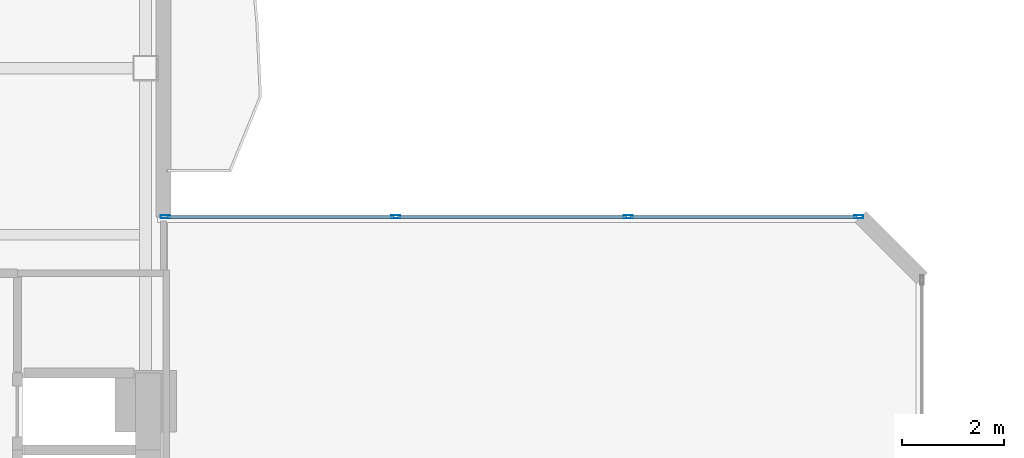
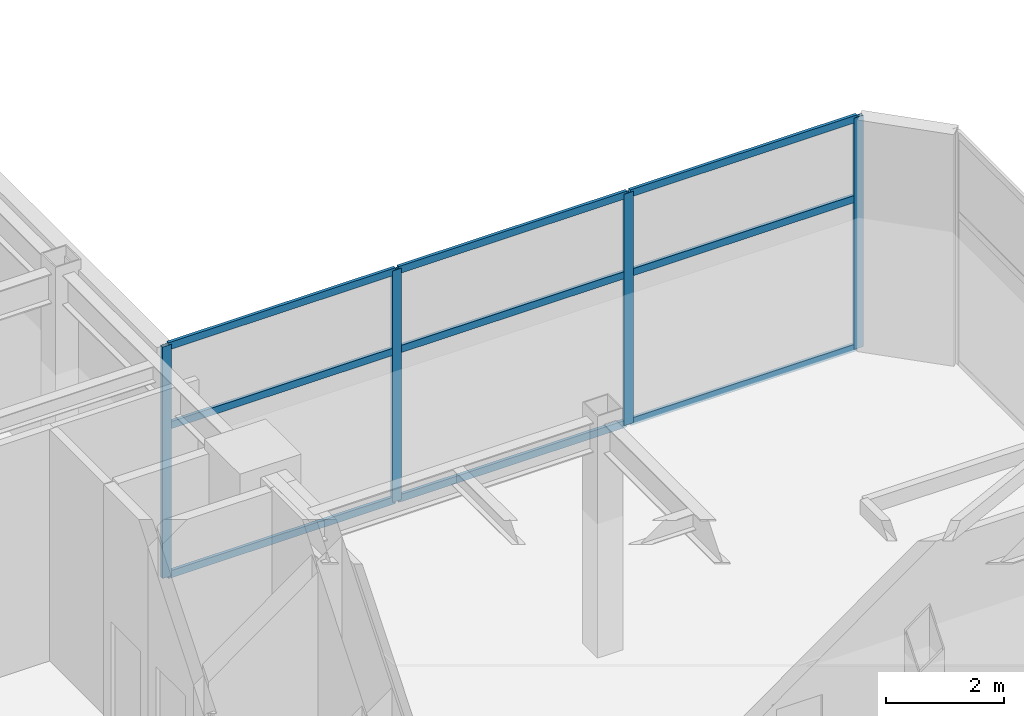
# One storey, part 7 of 23: 13 members, 1 element without a shape of its own.
"""IFC4 building model written with IfcOpenShell, lengths in metres."""

from ifc_helpers import new_model, si_unit, direction, frame, origin, origin_2d, place, context, subcontext, project, spatial, hollow_rectangle, extrude, material, layer, layer_set, material_profile, profile_set, type_object, element, aggregate, save


model = new_model("IFC4")

# Units and contexts
model_context = context("Model", 3, precision=1e-05, world=origin(), true_north=direction((0.0, 1.0)))
body_context = subcontext(model_context, "Body", "Model", "MODEL_VIEW")
ifc_project = project(units=[si_unit("LENGTHUNIT", "METRE"), si_unit("AREAUNIT", "SQUARE_METRE"), si_unit("VOLUMEUNIT", "CUBIC_METRE"), si_unit("PLANEANGLEUNIT", "RADIAN"), si_unit("MASSUNIT", "GRAM", prefix="KILO")], contexts=[model_context])

# Site, building, storey
site_placement = place(None, origin())
site = spatial("IfcSite", under=ifc_project, at=site_placement, CompositionType="ELEMENT")
building_placement = place(site_placement, origin())
building = spatial("IfcBuilding", under=site, at=building_placement, Name="Mawjaban Terraces University", CompositionType="ELEMENT")
storey_placement = place(building_placement, frame((0.0, 0.0, 98.39990234375)))
storey = spatial("IfcBuildingStorey", under=building, at=storey_placement, Name="L23", CompositionType="ELEMENT", Elevation=98.39990234375)

# Curtain wall, members
ifc_material_1 = material(Name="Anodised aluminium 6063-T6 and solar-control low-E glass", Category="aluminium")
ifc_layer = layer(ifc_material_1, 0.18994140625)
ifc_layer_set = layer_set([ifc_layer], Name="Anodised aluminium 6063-T6 and solar-control low-E glass")
curtain_wall_type = type_object("IfcCurtainWallType", Name="CWSystem_05_SkyLobby", PredefinedType="NOTDEFINED", material=ifc_layer_set)
curtain_wall_placement = place(storey_placement, origin())
curtain_wall = element("IfcCurtainWall", 1, at=curtain_wall_placement, inside=storey, type_object=curtain_wall_type, Name="L23 Curtain Wall CW-05 Run 8.1", PredefinedType="NOTDEFINED")
ifc_material_2 = material(Name="Anodised aluminium 6063-T6", Category="aluminium")
ifc_material_profile_1 = material_profile(ifc_material_2, hollow_rectangle(XDim=0.06494140625, YDim=0.179931640625, WallThickness=0.00390625, at=origin_2d()), Name="ALU180X65X4")
ifc_profile_set_1 = profile_set([ifc_material_profile_1], Name="Anodised aluminium 6063-T6")
member_type_1 = type_object("IfcMemberType", Name="Mullion_CW-05", PredefinedType="MULLION", material=ifc_profile_set_1)
member_1_placement = place(storey_placement, frame((51.5673828125, 27.10009765625, 0.0), z_axis=(0.0, 0.0, 1.0), x_axis=(0.0, -1.0, 0.0)))
member_1 = element("IfcMember", 2, at=member_1_placement, type_object=member_type_1, Name="CW-05 mullion 1", PredefinedType="MULLION", context=body_context, shape_type="SweptSolid", body=[
    extrude(hollow_rectangle(XDim=0.06494140625, YDim=0.179931640625, WallThickness=0.00390625, at=origin_2d()), origin(), (0.0, 0.0, 1.0), 4.7900390625),
])
member_2_placement = place(storey_placement, frame((47.066650390625, 27.10009765625, 0.0), z_axis=(0.0, 0.0, 1.0), x_axis=(0.0, -1.0, 0.0)))
member_2 = element("IfcMember", 3, at=member_2_placement, type_object=member_type_1, Name="CW-05 mullion 2", PredefinedType="MULLION", context=body_context, shape_type="SweptSolid", body=[
    extrude(hollow_rectangle(XDim=0.06494140625, YDim=0.179931640625, WallThickness=0.00390625, at=origin_2d()), origin(), (0.0, 0.0, 1.0), 4.7900390625),
])
member_3_placement = place(storey_placement, frame((42.533447265625, 27.10009765625, 0.0), z_axis=(0.0, 0.0, 1.0), x_axis=(0.0, -1.0, 0.0)))
member_3 = element("IfcMember", 4, at=member_3_placement, type_object=member_type_1, Name="CW-05 mullion 3", PredefinedType="MULLION", context=body_context, shape_type="SweptSolid", body=[
    extrude(hollow_rectangle(XDim=0.06494140625, YDim=0.179931640625, WallThickness=0.00390625, at=origin_2d()), origin(), (0.0, 0.0, 1.0), 4.7900390625),
])
member_4_placement = place(storey_placement, frame((38.032470703125, 27.10009765625, 0.0), z_axis=(0.0, 0.0, 1.0), x_axis=(0.0, -1.0, 0.0)))
member_4 = element("IfcMember", 5, at=member_4_placement, type_object=member_type_1, Name="CW-05 mullion 4", PredefinedType="MULLION", context=body_context, shape_type="SweptSolid", body=[
    extrude(hollow_rectangle(XDim=0.06494140625, YDim=0.179931640625, WallThickness=0.00390625, at=origin_2d()), origin(), (0.0, 0.0, 1.0), 4.7900390625),
])
ifc_material_profile_2 = material_profile(ifc_material_2, hollow_rectangle(XDim=0.06005859375, YDim=0.14990234375, WallThickness=0.00390625, at=origin_2d()), Name="ALU150X60X4")
ifc_profile_set_2 = profile_set([ifc_material_profile_2], Name="Anodised aluminium 6063-T6")
member_type_2 = type_object("IfcMemberType", Name="Transom_CW-05", PredefinedType="NOTDEFINED", material=ifc_profile_set_2)
member_5_placement = place(storey_placement, frame((51.534912109375, 27.10009765625, 0.030029296875), z_axis=(-1.0, 0.0, 0.0), x_axis=(0.0, -1.0, 0.0)))
member_5 = element("IfcMember", 6, at=member_5_placement, type_object=member_type_2, Name="CW-05 transom 1.1", ObjectType="TRANSOM", PredefinedType="USERDEFINED", context=body_context, shape_type="SweptSolid", body=[
    extrude(hollow_rectangle(XDim=0.06005859375, YDim=0.14990234375, WallThickness=0.00390625, at=origin_2d()), origin(), (0.0, 0.0, 1.0), 4.435791015625),
])
member_6_placement = place(storey_placement, frame((51.534912109375, 27.10009765625, 3.113037109375), z_axis=(-1.0, 0.0, 0.0), x_axis=(0.0, -1.0, 0.0)))
member_6 = element("IfcMember", 7, at=member_6_placement, type_object=member_type_2, Name="CW-05 transom 1.2", ObjectType="TRANSOM", PredefinedType="USERDEFINED", context=body_context, shape_type="SweptSolid", body=[
    extrude(hollow_rectangle(XDim=0.06005859375, YDim=0.14990234375, WallThickness=0.00390625, at=origin_2d()), origin(), (0.0, 0.0, 1.0), 4.435791015625),
])
member_7_placement = place(storey_placement, frame((51.534912109375, 27.10009765625, 4.760009765625), z_axis=(-1.0, 0.0, 0.0), x_axis=(0.0, -1.0, 0.0)))
member_7 = element("IfcMember", 8, at=member_7_placement, type_object=member_type_2, Name="CW-05 transom 1.3", ObjectType="TRANSOM", PredefinedType="USERDEFINED", context=body_context, shape_type="SweptSolid", body=[
    extrude(hollow_rectangle(XDim=0.06005859375, YDim=0.14990234375, WallThickness=0.00390625, at=origin_2d()), origin(), (0.0, 0.0, 1.0), 4.435791015625),
])
member_8_placement = place(storey_placement, frame((47.0341796875, 27.10009765625, 0.030029296875), z_axis=(-1.0, 0.0, 0.0), x_axis=(0.0, -1.0, 0.0)))
member_8 = element("IfcMember", 9, at=member_8_placement, type_object=member_type_2, Name="CW-05 transom 2.1", ObjectType="TRANSOM", PredefinedType="USERDEFINED", context=body_context, shape_type="SweptSolid", body=[
    extrude(hollow_rectangle(XDim=0.06005859375, YDim=0.14990234375, WallThickness=0.00390625, at=origin_2d()), origin(), (0.0, 0.0, 1.0), 4.46826171875),
])
member_9_placement = place(storey_placement, frame((47.0341796875, 27.10009765625, 3.113037109375), z_axis=(-1.0, 0.0, 0.0), x_axis=(0.0, -1.0, 0.0)))
member_9 = element("IfcMember", 10, at=member_9_placement, type_object=member_type_2, Name="CW-05 transom 2.2", ObjectType="TRANSOM", PredefinedType="USERDEFINED", context=body_context, shape_type="SweptSolid", body=[
    extrude(hollow_rectangle(XDim=0.06005859375, YDim=0.14990234375, WallThickness=0.00390625, at=origin_2d()), origin(), (0.0, 0.0, 1.0), 4.46826171875),
])
member_10_placement = place(storey_placement, frame((47.0341796875, 27.10009765625, 4.760009765625), z_axis=(-1.0, 0.0, 0.0), x_axis=(0.0, -1.0, 0.0)))
member_10 = element("IfcMember", 11, at=member_10_placement, type_object=member_type_2, Name="CW-05 transom 2.3", ObjectType="TRANSOM", PredefinedType="USERDEFINED", context=body_context, shape_type="SweptSolid", body=[
    extrude(hollow_rectangle(XDim=0.06005859375, YDim=0.14990234375, WallThickness=0.00390625, at=origin_2d()), origin(), (0.0, 0.0, 1.0), 4.46826171875),
])
member_11_placement = place(storey_placement, frame((42.500732421875, 27.10009765625, 0.030029296875), z_axis=(-1.0, 0.0, 0.0), x_axis=(0.0, -1.0, 0.0)))
member_11 = element("IfcMember", 12, at=member_11_placement, type_object=member_type_2, Name="CW-05 transom 3.1", ObjectType="TRANSOM", PredefinedType="USERDEFINED", context=body_context, shape_type="SweptSolid", body=[
    extrude(hollow_rectangle(XDim=0.06005859375, YDim=0.14990234375, WallThickness=0.00390625, at=origin_2d()), origin(), (0.0, 0.0, 1.0), 4.435791015625),
])
member_12_placement = place(storey_placement, frame((42.500732421875, 27.10009765625, 3.113037109375), z_axis=(-1.0, 0.0, 0.0), x_axis=(0.0, -1.0, 0.0)))
member_12 = element("IfcMember", 13, at=member_12_placement, type_object=member_type_2, Name="CW-05 transom 3.2", ObjectType="TRANSOM", PredefinedType="USERDEFINED", context=body_context, shape_type="SweptSolid", body=[
    extrude(hollow_rectangle(XDim=0.06005859375, YDim=0.14990234375, WallThickness=0.00390625, at=origin_2d()), origin(), (0.0, 0.0, 1.0), 4.435791015625),
])
member_13_placement = place(storey_placement, frame((42.500732421875, 27.10009765625, 4.760009765625), z_axis=(-1.0, 0.0, 0.0), x_axis=(0.0, -1.0, 0.0)))
member_13 = element("IfcMember", 14, at=member_13_placement, type_object=member_type_2, Name="CW-05 transom 3.3", ObjectType="TRANSOM", PredefinedType="USERDEFINED", context=body_context, shape_type="SweptSolid", body=[
    extrude(hollow_rectangle(XDim=0.06005859375, YDim=0.14990234375, WallThickness=0.00390625, at=origin_2d()), origin(), (0.0, 0.0, 1.0), 4.435791015625),
])
aggregate(curtain_wall, [member_1, member_2, member_3, member_4, member_5, member_6, member_7, member_8, member_9, member_10, member_11, member_12, member_13])

save(model, "model.ifc")
